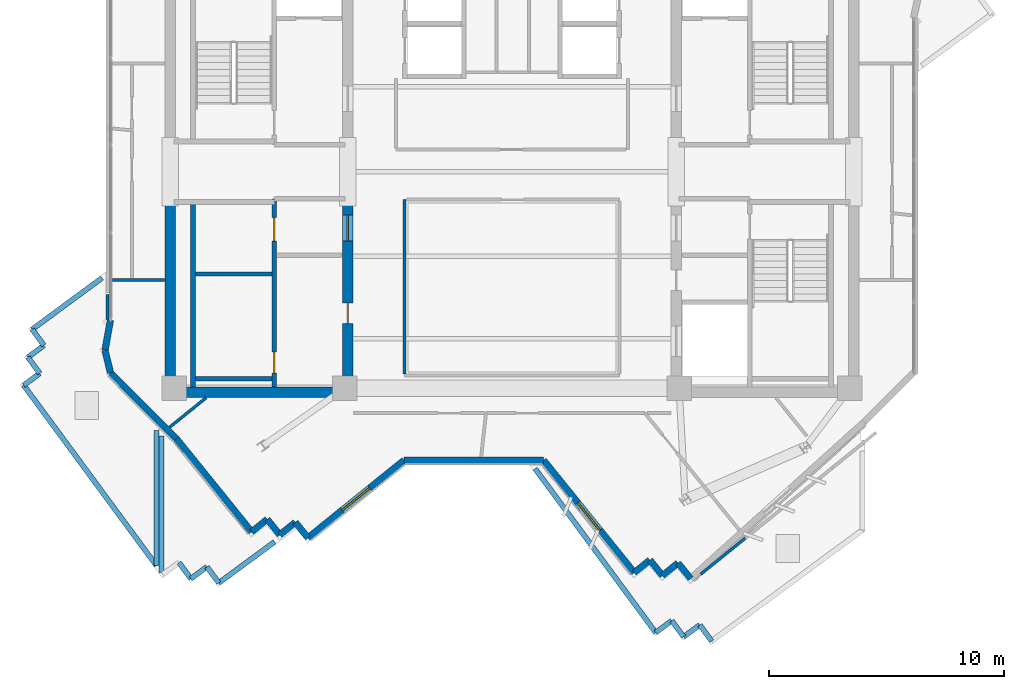
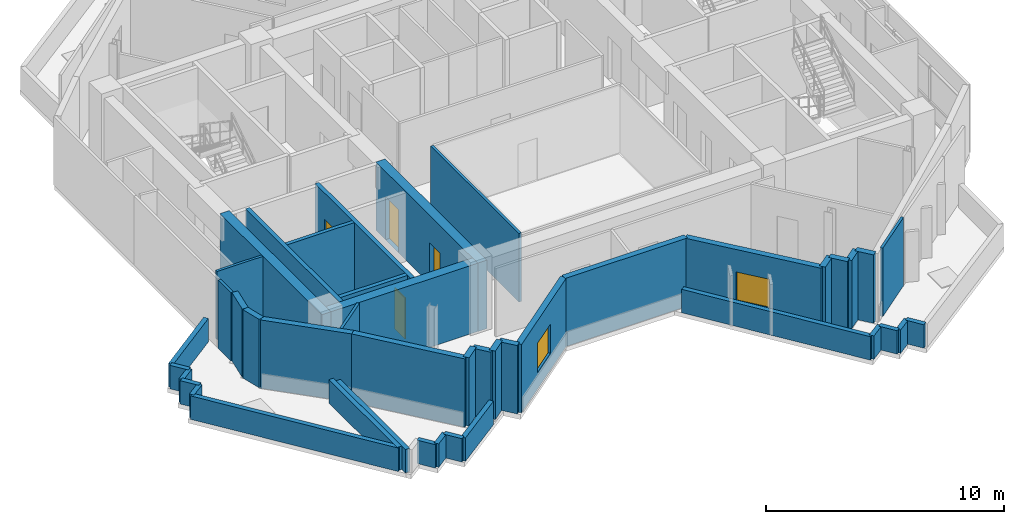
# One storey, part 6 of 12: 44 walls, 4 doors, 2 windows, 6 openings.
"""IFC4 building model written with IfcOpenShell, lengths in metres."""

from ifc_helpers import new_model, si_unit, direction, frame, frame_2d, origin, place, context, subcontext, project, spatial, rectangle, extrude, source, transform, mapped, material, layer, layer_set, type_object, element, fill, save


model = new_model("IFC4")

# Units and contexts
model_context = context("Model", 3, precision=1e-05, world=origin(), true_north=direction((0.0, 1.0)))
body_context = subcontext(model_context, "Body", "Model", "MODEL_VIEW")
ifc_project = project(units=[si_unit("LENGTHUNIT", "METRE"), si_unit("AREAUNIT", "SQUARE_METRE"), si_unit("VOLUMEUNIT", "CUBIC_METRE"), si_unit("PLANEANGLEUNIT", "RADIAN"), si_unit("MASSUNIT", "GRAM", prefix="KILO")], contexts=[model_context])

# Site, building, storey
site_placement = place(None, origin())
site = spatial("IfcSite", under=ifc_project, at=site_placement, CompositionType="ELEMENT")
building_placement = place(site_placement, origin())
building = spatial("IfcBuilding", under=site, at=building_placement, Name="Zahravan Cultural Tower", CompositionType="ELEMENT")
storey_placement = place(building_placement, frame((0.0, 0.0, 280.35009765625)))
storey = spatial("IfcBuildingStorey", under=building, at=storey_placement, Name="L67", CompositionType="ELEMENT", Elevation=280.35009765625)

# Wall, openings, doors
ifc_material_1 = material(Name="Concrete C50/60", Category="concrete")
ifc_layer_1 = layer(ifc_material_1, 0.449951171875)
ifc_layer_set_1 = layer_set([ifc_layer_1], Name="Concrete C50/60")
wall_type_1 = type_object("IfcWallType", Name="CW-SHEAR-450-C50", PredefinedType="SHEAR", material=ifc_layer_set_1)
wall_1_placement = place(storey_placement, frame((29.02490234375, 17.39990234375, 0.0), z_axis=(0.0, 0.0, 1.0), x_axis=(0.0, 1.0, 0.0)))
wall_1 = element("IfcWall", 1, at=wall_1_placement, inside=storey, type_object=wall_type_1, Name="L67 Core Shear Wall CW-W-ES-L67", PredefinedType="SHEAR", context=body_context, shape_type="SweptSolid", body=[
    extrude(rectangle(XDim=8.550048828125, YDim=0.449951171875, at=frame_2d((4.27490234375, 0.0))), origin(), (0.0, 0.0, 1.0), 3.5),
])
opening_1_placement = place(wall_1_placement, frame((6.64990234375, 0.0, 0.0)))
opening_1 = element("IfcOpeningElement", 2, at=opening_1_placement, cuts=wall_1, Name="Opening D-L67-08", PredefinedType="OPENING", context=body_context, shape_type="SweptSolid", body=[
    extrude(rectangle(XDim=1.10009765625, YDim=2.199951171875, at=frame_2d((0.550048828125, 1.10009765625))), frame((0.0, 0.23486328125, 0.0), z_axis=(0.0, -1.0, 0.0), x_axis=(1.0, 0.0, 0.0)), (0.0, 0.0, 1.0), 0.469970703125),
])
opening_2_placement = place(wall_1_placement, frame((3.14990234375, 0.0, 0.0)))
opening_2 = element("IfcOpeningElement", 3, at=opening_2_placement, cuts=wall_1, Name="Opening D-L67-10", PredefinedType="OPENING", context=body_context, shape_type="SweptSolid", body=[
    extrude(rectangle(XDim=0.8798828125, YDim=2.10009765625, at=frame_2d((0.43994140625, 1.050048828125))), frame((0.0, 0.23486328125, 0.0), z_axis=(0.0, -1.0, 0.0), x_axis=(1.0, 0.0, 0.0)), (0.0, 0.0, 1.0), 0.469970703125),
])
ifc_material_2 = material(Name="Steel ASTM A572 Grade 50", Category="steel")
door_type_1 = type_object("IfcDoorType", Name="DR-LOBBY-1100", OperationType="NOTDEFINED", PredefinedType="DOOR", material=ifc_material_2)
shared_shape_1 = source(origin(), body_context, "Body", "SweptSolid", [
    extrude(rectangle(XDim=1.10009765625, YDim=2.199951171875, at=frame_2d((0.550048828125, 1.10009765625))), frame((0.0, 0.02490234375, 0.0), z_axis=(0.0, -1.0, 0.0), x_axis=(1.0, 0.0, 0.0)), (0.0, 0.0, 1.0), 0.050048828125),
])
door_1_placement = place(opening_1_placement, origin())
door_1 = element("IfcDoor", 4, at=door_1_placement, inside=storey, type_object=door_type_1, Name="L67 Door D-L67-08", OperationType="SINGLE_SWING_LEFT", OverallHeight=2.199951171875, OverallWidth=1.10009765625, PredefinedType="DOOR", context=body_context, shape_type="MappedRepresentation", body=[
    mapped(shared_shape_1, transform((0.0, 0.0, 0.0), x_axis=(1.0, 0.0, 0.0), y_axis=(0.0, 1.0, 0.0), z_axis=(0.0, 0.0, 1.0), scale=1.0)),
])
fill(opening_1, door_1)
door_type_2 = type_object("IfcDoorType", Name="DR-SVC-880", OperationType="NOTDEFINED", PredefinedType="DOOR", material=ifc_material_2)
shared_shape_2 = source(origin(), body_context, "Body", "SweptSolid", [
    extrude(rectangle(XDim=0.8798828125, YDim=2.10009765625, at=frame_2d((0.43994140625, 1.050048828125))), frame((0.0, 0.02490234375, 0.0), z_axis=(0.0, -1.0, 0.0), x_axis=(1.0, 0.0, 0.0)), (0.0, 0.0, 1.0), 0.050048828125),
])
door_2_placement = place(opening_2_placement, origin())
door_2 = element("IfcDoor", 5, at=door_2_placement, inside=storey, type_object=door_type_2, Name="L67 Door D-L67-10", OperationType="SINGLE_SWING_LEFT", OverallHeight=2.10009765625, OverallWidth=0.8798828125, PredefinedType="DOOR", context=body_context, shape_type="MappedRepresentation", body=[
    mapped(shared_shape_2, transform((0.0, 0.0, 0.0), x_axis=(1.0, 0.0, 0.0), y_axis=(0.0, 1.0, 0.0), z_axis=(0.0, 0.0, 1.0), scale=1.0)),
])
fill(opening_2, door_2)

# Wall, opening, window
ifc_material_3 = material(Name="Precast concrete C40/50", Category="concrete")
ifc_layer_2 = layer(ifc_material_3, 0.280029296875)
ifc_layer_set_2 = layer_set([ifc_layer_2], Name="Precast concrete C40/50")
wall_type_2 = type_object("IfcWallType", Name="EW-TC-280", PredefinedType="SOLIDWALL", material=ifc_layer_set_2)
wall_2_placement = place(storey_placement, frame((41.19580078125, 9.962646484375, 0.0), z_axis=(0.0, 0.0, 1.0), x_axis=(-0.628194566809, 0.778056287316, 0.0)))
wall_2 = element("IfcWall", 6, at=wall_2_placement, inside=storey, type_object=wall_type_2, Name="L67 Exterior Masonry Frame Wall 24", PredefinedType="SOLIDWALL", context=body_context, shape_type="SweptSolid", body=[
    extrude(rectangle(XDim=6.14013671875, YDim=0.280029296875, at=frame_2d((3.070068359375, 0.0))), origin(), (0.0, 0.0, 1.0), 3.5),
])
opening_3_placement = place(wall_2_placement, frame((2.320068359375, 0.0, 0.85009765625)))
opening_3 = element("IfcOpeningElement", 7, at=opening_3_placement, cuts=wall_2, Name="Opening WN-03", PredefinedType="OPENING", context=body_context, shape_type="SweptSolid", body=[
    extrude(rectangle(XDim=1.5, YDim=1.5, at=frame_2d((0.75, 0.75))), frame((0.0, 0.14990234375, 0.0), z_axis=(0.0, -1.0, 0.0), x_axis=(1.0, 0.0, 0.0)), (0.0, 0.0, 1.0), 0.300048828125),
])
ifc_material_4 = material(Name="Low-E solar-control double glazing", Category="glass")
window_type = type_object("IfcWindowType", Name="WN-REC-1500X1500", PartitioningType="SINGLE_PANEL", PredefinedType="WINDOW", material=ifc_material_4)
shared_shape_3 = source(origin(), body_context, "Body", "SweptSolid", [
    extrude(rectangle(XDim=1.5, YDim=1.5, at=frame_2d((0.75, 0.75))), frame((0.0, 0.030029296875, 0.0), z_axis=(0.0, -1.0, 0.0), x_axis=(1.0, 0.0, 0.0)), (0.0, 0.0, 1.0), 0.06005859375),
])
window_1_placement = place(opening_3_placement, origin())
window_1 = element("IfcWindow", 8, at=window_1_placement, inside=storey, type_object=window_type, Name="L67 Recessed Solar Window 07", OverallHeight=1.5, OverallWidth=1.5, PartitioningType="SINGLE_PANEL", PredefinedType="WINDOW", context=body_context, shape_type="MappedRepresentation", body=[
    mapped(shared_shape_3, transform((0.0, 0.0, 0.0), x_axis=(1.0, 0.0, 0.0), y_axis=(0.0, 1.0, 0.0), z_axis=(0.0, 0.0, 1.0), scale=1.0)),
])
fill(opening_3, window_1)

wall_3_placement = place(storey_placement, frame((31.4169921875, 14.739990234375, 0.0), z_axis=(0.0, 0.0, 1.0), x_axis=(-0.778072238875, -0.628174809342, 0.0)))
wall_3 = element("IfcWall", 9, at=wall_3_placement, inside=storey, type_object=wall_type_2, Name="L67 Exterior Masonry Frame Wall 26", PredefinedType="SOLIDWALL", context=body_context, shape_type="SweptSolid", body=[
    extrude(rectangle(XDim=5.252685546875, YDim=0.280029296875, at=frame_2d((2.62646484375, 0.0))), origin(), (0.0, 0.0, 1.0), 3.5),
])
opening_4_placement = place(wall_3_placement, frame((1.8759765625, 0.0, 0.85009765625)))
opening_4 = element("IfcOpeningElement", 10, at=opening_4_placement, cuts=wall_3, Name="Opening WN-03", PredefinedType="OPENING", context=body_context, shape_type="SweptSolid", body=[
    extrude(rectangle(XDim=1.5, YDim=1.5, at=frame_2d((0.75, 0.75))), frame((0.0, 0.14990234375, 0.0), z_axis=(0.0, -1.0, 0.0), x_axis=(1.0, 0.0, 0.0)), (0.0, 0.0, 1.0), 0.300048828125),
])
window_2_placement = place(opening_4_placement, origin())
window_2 = element("IfcWindow", 11, at=window_2_placement, inside=storey, type_object=window_type, Name="L67 Recessed Solar Window 08", OverallHeight=1.5, OverallWidth=1.5, PartitioningType="SINGLE_PANEL", PredefinedType="WINDOW", context=body_context, shape_type="MappedRepresentation", body=[
    mapped(shared_shape_3, transform((0.0, 0.0, 0.0), x_axis=(1.0, 0.0, 0.0), y_axis=(0.0, 1.0, 0.0), z_axis=(0.0, 0.0, 1.0), scale=1.0)),
])
fill(opening_4, window_2)

# Wall, openings, doors
ifc_material_5 = material(Name="Concrete C45/55", Category="concrete")
ifc_layer_3 = layer(ifc_material_5, 0.199951171875)
ifc_layer_set_3 = layer_set([ifc_layer_3], Name="Concrete C45/55")
wall_type_3 = type_object("IfcWallType", Name="W-SHAFT-200", PredefinedType="SOLIDWALL", material=ifc_layer_set_3)
wall_4_placement = place(storey_placement, frame((25.89990234375, 17.85009765625, 0.0), z_axis=(0.0, 0.0, 1.0), x_axis=(0.0, 1.0, 0.0)))
wall_4 = element("IfcWall", 12, at=wall_4_placement, inside=storey, type_object=wall_type_3, Name="L67 Interior Wall 005", PredefinedType="SOLIDWALL", context=body_context, shape_type="SweptSolid", body=[
    extrude(rectangle(XDim=8.0, YDim=0.199951171875, at=frame_2d((4.0, 0.0))), origin(), (0.0, 0.0, 1.0), 3.5),
])
opening_5_placement = place(wall_4_placement, frame((6.199951171875, 0.0, 0.0)))
opening_5 = element("IfcOpeningElement", 13, at=opening_5_placement, cuts=wall_4, Name="Opening D-L67-04", PredefinedType="OPENING", context=body_context, shape_type="SweptSolid", body=[
    extrude(rectangle(XDim=1.0, YDim=2.14990234375, at=frame_2d((0.5, 1.074951171875))), frame((0.0, 0.10986328125, 0.0), z_axis=(0.0, -1.0, 0.0), x_axis=(1.0, 0.0, 0.0)), (0.0, 0.0, 1.0), 0.219970703125),
])
opening_6_placement = place(wall_4_placement, frame((0.60009765625, 0.0, 0.0)))
opening_6 = element("IfcOpeningElement", 14, at=opening_6_placement, cuts=wall_4, Name="Opening D-L67-05", PredefinedType="OPENING", context=body_context, shape_type="SweptSolid", body=[
    extrude(rectangle(XDim=0.8798828125, YDim=2.10009765625, at=frame_2d((0.43994140625, 1.050048828125))), frame((0.0, 0.10986328125, 0.0), z_axis=(0.0, -1.0, 0.0), x_axis=(1.0, 0.0, 0.0)), (0.0, 0.0, 1.0), 0.219970703125),
])
door_3_placement = place(opening_6_placement, origin())
door_3 = element("IfcDoor", 15, at=door_3_placement, inside=storey, type_object=door_type_2, Name="L67 Door D-L67-05", OperationType="SINGLE_SWING_RIGHT", OverallHeight=2.10009765625, OverallWidth=0.8798828125, PredefinedType="DOOR", context=body_context, shape_type="MappedRepresentation", body=[
    mapped(shared_shape_2, transform((0.0, 0.0, 0.0), x_axis=(1.0, 0.0, 0.0), y_axis=(0.0, 1.0, 0.0), z_axis=(0.0, 0.0, 1.0), scale=1.0)),
])
fill(opening_6, door_3)
door_type_3 = type_object("IfcDoorType", Name="DR-COMP-1000", OperationType="NOTDEFINED", PredefinedType="DOOR", material=ifc_material_2)
shared_shape_4 = source(origin(), body_context, "Body", "SweptSolid", [
    extrude(rectangle(XDim=1.0, YDim=2.14990234375, at=frame_2d((0.5, 1.074951171875))), frame((0.0, 0.02490234375, 0.0), z_axis=(0.0, -1.0, 0.0), x_axis=(1.0, 0.0, 0.0)), (0.0, 0.0, 1.0), 0.050048828125),
])
door_4_placement = place(opening_5_placement, origin())
door_4 = element("IfcDoor", 16, at=door_4_placement, inside=storey, type_object=door_type_3, Name="L67 Door D-L67-04", OperationType="SINGLE_SWING_LEFT", OverallHeight=2.14990234375, OverallWidth=1.0, PredefinedType="DOOR", context=body_context, shape_type="MappedRepresentation", body=[
    mapped(shared_shape_4, transform((0.0, 0.0, 0.0), x_axis=(1.0, 0.0, 0.0), y_axis=(0.0, 1.0, 0.0), z_axis=(0.0, 0.0, 1.0), scale=1.0)),
])
fill(opening_5, door_4)

# Walls
shared_shape_5 = source(origin(), body_context, "Body", "SweptSolid", [
    extrude(rectangle(XDim=8.550048828125, YDim=0.449951171875, at=frame_2d((4.27490234375, 0.0))), origin(), (0.0, 0.0, 1.0), 3.5),
])
wall_5_placement = place(storey_placement, frame((21.47509765625, 17.39990234375, 0.0), z_axis=(0.0, 0.0, 1.0), x_axis=(0.0, 1.0, 0.0)))
element("IfcWall", 17, at=wall_5_placement, inside=storey, type_object=wall_type_1, Name="L67 Core Shear Wall CW-W-WS-L67", PredefinedType="SHEAR", context=body_context, shape_type="MappedRepresentation", body=[
    mapped(shared_shape_5, transform((0.0, 0.0, 0.0), x_axis=(1.0, 0.0, 0.0), y_axis=(0.0, 1.0, 0.0), z_axis=(0.0, 0.0, 1.0), scale=1.0)),
])
shared_shape_6 = source(origin(), body_context, "Body", "SweptSolid", [
    extrude(rectangle(XDim=7.10009765625, YDim=0.449951171875, at=frame_2d((3.550048828125, 0.0))), origin(), (0.0, 0.0, 1.0), 3.5),
])
wall_6_placement = place(storey_placement, frame((21.699951171875, 17.625, 0.0), z_axis=(0.0, 0.0, 1.0), x_axis=(1.0, 0.0, 0.0)))
element("IfcWall", 18, at=wall_6_placement, inside=storey, type_object=wall_type_1, Name="L67 Core Shear Wall CW-W-S-L67", PredefinedType="SHEAR", context=body_context, shape_type="MappedRepresentation", body=[
    mapped(shared_shape_6, transform((0.0, 0.0, 0.0), x_axis=(1.0, 0.0, 0.0), y_axis=(0.0, 1.0, 0.0), z_axis=(0.0, 0.0, 1.0), scale=1.0)),
])
ifc_layer_4 = layer(ifc_material_3, 0.219970703125)
ifc_layer_set_4 = layer_set([ifc_layer_4], Name="Precast concrete C40/50")
wall_type_4 = type_object("IfcWallType", Name="EW-PARAPET-220", PredefinedType="PARAPET", material=ifc_layer_set_4)
shared_shape_7 = source(origin(), body_context, "Body", "SweptSolid", [
    extrude(rectangle(XDim=0.85009765625, YDim=0.219970703125, at=frame_2d((0.425048828125, 0.0))), origin(), (0.0, 0.0, 1.0), 1.199951171875),
])
for number, where, z_axis, x_axis, name in (
    (19, (44.4814453125, 7.05615234375, 0.0), (0.0, 0.0, 1.0), (-0.592807079659, 0.80534450163, 0.0), "L67 Setback Roof Parapet 2"),
    (20, (15.250732421875, 17.92578125, 0.0), (0.0, 0.0, 1.0), (0.80534450163, 0.592807079659, 0.0), "L67 Setback Roof Parapet 3"),
    (21, (15.431640625, 19.1142578125, 0.0), (0.0, 0.0, 1.0), (0.80534450163, 0.592807079659, 0.0), "L67 Setback Roof Parapet 5"),
    (22, (16.1162109375, 19.6181640625, 0.0), (0.0, 0.0, 1.0), (-0.592807079659, 0.80534450163, 0.0), "L67 Setback Roof Parapet 6"),
    (23, (23.0390625, 10.2109375, 0.0), (0.0, 0.0, 1.0), (-0.80534450163, -0.592807079659, 0.0), "L67 Setback Roof Parapet 1"),
    (24, (22.3544921875, 9.70703125, 0.0), (0.0, 0.0, 1.0), (-0.592807079659, 0.80534450163, 0.0), "L67 Setback Roof Parapet 2"),
    (25, (23.54296875, 9.5263671875, 0.0), (0.0, 0.0, 1.0), (-0.592807079659, 0.80534450163, 0.0), "L67 Setback Roof Parapet 6"),
):
    element("IfcWall", number, at=place(storey_placement, frame(where, z_axis=z_axis, x_axis=x_axis)), inside=storey, type_object=wall_type_4, Name=name, PredefinedType="PARAPET", context=body_context, shape_type="MappedRepresentation", body=[
        mapped(shared_shape_7, transform((0.0, 0.0, 0.0), x_axis=(1.0, 0.0, 0.0), y_axis=(0.0, 1.0, 0.0), z_axis=(0.0, 0.0, 1.0), scale=1.0)),
    ])
shared_shape_8 = source(origin(), body_context, "Body", "SweptSolid", [
    extrude(rectangle(XDim=0.849853515625, YDim=0.219970703125, at=frame_2d((0.4248046875, 0.0))), origin(), (0.0, 0.0, 1.0), 1.199951171875),
])
for number, where, z_axis, x_axis, name in (
    (26, (43.9775390625, 7.74072265625, 0.0), (0.0, 0.0, 1.0), (-0.805481622783, -0.592620751712, 0.0), "L67 Setback Roof Parapet 3"),
    (27, (43.29296875, 7.237060546875, 0.0), (0.0, 0.0, 1.0), (-0.592620751712, 0.805481622783, 0.0), "L67 Setback Roof Parapet 4"),
    (28, (15.935302734375, 18.4296875, 0.0), (0.0, 0.0, 1.0), (-0.592620751712, 0.805481622783, 0.0), "L67 Setback Roof Parapet 4"),
):
    element("IfcWall", number, at=place(storey_placement, frame(where, z_axis=z_axis, x_axis=x_axis)), inside=storey, type_object=wall_type_4, Name=name, PredefinedType="PARAPET", context=body_context, shape_type="MappedRepresentation", body=[
        mapped(shared_shape_8, transform((0.0, 0.0, 0.0), x_axis=(1.0, 0.0, 0.0), y_axis=(0.0, 1.0, 0.0), z_axis=(0.0, 0.0, 1.0), scale=1.0)),
    ])
shared_shape_9 = source(origin(), body_context, "Body", "SweptSolid", [
    extrude(rectangle(XDim=0.85009765625, YDim=0.280029296875, at=frame_2d((0.425048828125, 0.0))), origin(), (0.0, 0.0, 1.0), 3.5),
])
for number, where, z_axis, x_axis, name in (
    (29, (43.58642578125, 9.7080078125, 0.0), (0.0, 0.0, 1.0), (-0.628156579423, 0.778086956405, 0.0), "L67 Exterior Masonry Frame Wall 20"),
    (30, (43.052490234375, 10.369384765625, 0.0), (0.0, 0.0, 1.0), (-0.777946579095, -0.628330422687, 0.0), "L67 Exterior Masonry Frame Wall 21"),
    (31, (42.39111328125, 9.835205078125, 0.0), (0.0, 0.0, 1.0), (-0.628156579423, 0.778086956405, 0.0), "L67 Exterior Masonry Frame Wall 22"),
    (32, (41.857177734375, 10.49658203125, 0.0), (0.0, 0.0, 1.0), (-0.778086956405, -0.628156579423, 0.0), "L67 Exterior Masonry Frame Wall 23"),
    (33, (27.330078125, 11.4404296875, 0.0), (0.0, 0.0, 1.0), (-0.628156579423, 0.778086956405, 0.0), "L67 Exterior Masonry Frame Wall 27"),
    (34, (26.135009765625, 11.56787109375, 0.0), (0.0, 0.0, 1.0), (-0.628330422687, 0.777946579095, 0.0), "L67 Exterior Masonry Frame Wall 29"),
):
    element("IfcWall", number, at=place(storey_placement, frame(where, z_axis=z_axis, x_axis=x_axis)), inside=storey, type_object=wall_type_2, Name=name, PredefinedType="SOLIDWALL", context=body_context, shape_type="MappedRepresentation", body=[
        mapped(shared_shape_9, transform((0.0, 0.0, 0.0), x_axis=(1.0, 0.0, 0.0), y_axis=(0.0, 1.0, 0.0), z_axis=(0.0, 0.0, 1.0), scale=1.0)),
    ])
shared_shape_10 = source(origin(), body_context, "Body", "SweptSolid", [
    extrude(rectangle(XDim=0.849853515625, YDim=0.280029296875, at=frame_2d((0.4248046875, 0.0))), origin(), (0.0, 0.0, 1.0), 3.5),
])
for number, where, z_axis, x_axis, name in (
    (35, (26.796142578125, 12.101806640625, 0.0), (0.0, 0.0, 1.0), (-0.777973585776, -0.628296983786, 0.0), "L67 Exterior Masonry Frame Wall 28"),
    (36, (25.600830078125, 12.229248046875, 0.0), (0.0, 0.0, 1.0), (-0.777973585776, -0.628296983786, 0.0), "L67 Exterior Masonry Frame Wall 30"),
):
    element("IfcWall", number, at=place(storey_placement, frame(where, z_axis=z_axis, x_axis=x_axis)), inside=storey, type_object=wall_type_2, Name=name, PredefinedType="SOLIDWALL", context=body_context, shape_type="MappedRepresentation", body=[
        mapped(shared_shape_10, transform((0.0, 0.0, 0.0), x_axis=(1.0, 0.0, 0.0), y_axis=(0.0, 1.0, 0.0), z_axis=(0.0, 0.0, 1.0), scale=1.0)),
    ])
shared_shape_11 = source(origin(), body_context, "Body", "SweptSolid", [
    extrude(rectangle(XDim=0.850341796875, YDim=0.219970703125, at=frame_2d((0.42529296875, 0.0))), origin(), (0.0, 0.0, 1.0), 1.199951171875),
])
wall_7_placement = place(storey_placement, frame((42.789306640625, 7.921630859375, 0.0), z_axis=(0.0, 0.0, 1.0), x_axis=(-0.805445398986, -0.592669983425, 0.0)))
element("IfcWall", 37, at=wall_7_placement, inside=storey, type_object=wall_type_4, Name="L67 Setback Roof Parapet 5", PredefinedType="PARAPET", context=body_context, shape_type="MappedRepresentation", body=[
    mapped(shared_shape_11, transform((0.0, 0.0, 0.0), x_axis=(1.0, 0.0, 0.0), y_axis=(0.0, 1.0, 0.0), z_axis=(0.0, 0.0, 1.0), scale=1.0)),
])
shared_shape_12 = source(origin(), body_context, "Body", "SweptSolid", [
    extrude(rectangle(XDim=8.644287109375, YDim=0.219970703125, at=frame_2d((4.322265625, 0.0))), origin(), (0.0, 0.0, 1.0), 1.199951171875),
])
wall_8_placement = place(storey_placement, frame((42.1044921875, 7.417724609375, 0.0), z_axis=(0.0, 0.0, 1.0), x_axis=(-0.59271336893, 0.805413472877, 0.0)))
element("IfcWall", 38, at=wall_8_placement, inside=storey, type_object=wall_type_4, Name="L67 Setback Roof Parapet 6", PredefinedType="PARAPET", context=body_context, shape_type="MappedRepresentation", body=[
    mapped(shared_shape_12, transform((0.0, 0.0, 0.0), x_axis=(1.0, 0.0, 0.0), y_axis=(0.0, 1.0, 0.0), z_axis=(0.0, 0.0, 1.0), scale=1.0)),
])
shared_shape_13 = source(origin(), body_context, "Body", "SweptSolid", [
    extrude(rectangle(XDim=5.735595703125, YDim=0.219970703125, at=frame_2d((2.86767578125, 0.0))), origin(), (0.0, 0.0, 1.0), 1.199951171875),
])
wall_9_placement = place(storey_placement, frame((20.889892578125, 15.998779296875, 0.0), z_axis=(0.0, 0.0, 1.0), x_axis=(0.0, -1.0, 0.0)))
element("IfcWall", 39, at=wall_9_placement, inside=storey, type_object=wall_type_4, Name="L67 Setback Roof Parapet 1", PredefinedType="PARAPET", context=body_context, shape_type="MappedRepresentation", body=[
    mapped(shared_shape_13, transform((0.0, 0.0, 0.0), x_axis=(1.0, 0.0, 0.0), y_axis=(0.0, 1.0, 0.0), z_axis=(0.0, 0.0, 1.0), scale=1.0)),
])
shared_shape_14 = source(origin(), body_context, "Body", "SweptSolid", [
    extrude(rectangle(XDim=9.513916015625, YDim=0.219970703125, at=frame_2d((4.7568359375, 0.0))), origin(), (0.0, 0.0, 1.0), 1.199951171875),
])
wall_10_placement = place(storey_placement, frame((20.889892578125, 10.26318359375, 0.0), z_axis=(0.0, 0.0, 1.0), x_axis=(-0.592724500616, 0.805405280818, 0.0)))
element("IfcWall", 40, at=wall_10_placement, inside=storey, type_object=wall_type_4, Name="L67 Setback Roof Parapet 2", PredefinedType="PARAPET", context=body_context, shape_type="MappedRepresentation", body=[
    mapped(shared_shape_14, transform((0.0, 0.0, 0.0), x_axis=(1.0, 0.0, 0.0), y_axis=(0.0, 1.0, 0.0), z_axis=(0.0, 0.0, 1.0), scale=1.0)),
])
shared_shape_15 = source(origin(), body_context, "Body", "SweptSolid", [
    extrude(rectangle(XDim=3.6845703125, YDim=0.219970703125, at=frame_2d((1.84228515625, 0.0))), origin(), (0.0, 0.0, 1.0), 1.199951171875),
])
wall_11_placement = place(storey_placement, frame((15.6123046875, 20.302734375, 0.0), z_axis=(0.0, 0.0, 1.0), x_axis=(0.805437043351, 0.592681338662, 0.0)))
element("IfcWall", 41, at=wall_11_placement, inside=storey, type_object=wall_type_4, Name="L67 Setback Roof Parapet 7", PredefinedType="PARAPET", context=body_context, shape_type="MappedRepresentation", body=[
    mapped(shared_shape_15, transform((0.0, 0.0, 0.0), x_axis=(1.0, 0.0, 0.0), y_axis=(0.0, 1.0, 0.0), z_axis=(0.0, 0.0, 1.0), scale=1.0)),
])
shared_shape_16 = source(origin(), body_context, "Body", "SweptSolid", [
    extrude(rectangle(XDim=5.814697265625, YDim=0.219970703125, at=frame_2d((2.9072265625, 0.0))), origin(), (0.0, 0.0, 1.0), 1.199951171875),
])
wall_12_placement = place(storey_placement, frame((21.110107421875, 9.964111328125, 0.0), z_axis=(0.0, 0.0, 1.0), x_axis=(0.0, 1.0, 0.0)))
element("IfcWall", 42, at=wall_12_placement, inside=storey, type_object=wall_type_4, Name="L67 Setback Roof Parapet 4", PredefinedType="PARAPET", context=body_context, shape_type="MappedRepresentation", body=[
    mapped(shared_shape_16, transform((0.0, 0.0, 0.0), x_axis=(1.0, 0.0, 0.0), y_axis=(0.0, 1.0, 0.0), z_axis=(0.0, 0.0, 1.0), scale=1.0)),
])
shared_shape_17 = source(origin(), body_context, "Body", "SweptSolid", [
    extrude(rectangle(XDim=2.942138671875, YDim=0.219970703125, at=frame_2d((1.47119140625, 0.0))), origin(), (0.0, 0.0, 1.0), 1.199951171875),
])
wall_13_placement = place(storey_placement, frame((25.91259765625, 11.27001953125, 0.0), z_axis=(0.0, 0.0, 1.0), x_axis=(-0.805443619549, -0.592672401692, 0.0)))
element("IfcWall", 43, at=wall_13_placement, inside=storey, type_object=wall_type_4, Name="L67 Setback Roof Parapet 5", PredefinedType="PARAPET", context=body_context, shape_type="MappedRepresentation", body=[
    mapped(shared_shape_17, transform((0.0, 0.0, 0.0), x_axis=(1.0, 0.0, 0.0), y_axis=(0.0, 1.0, 0.0), z_axis=(0.0, 0.0, 1.0), scale=1.0)),
])
shared_shape_18 = source(origin(), body_context, "Body", "SweptSolid", [
    extrude(rectangle(XDim=5.921630859375, YDim=0.280029296875, at=frame_2d((2.9609375, 0.0))), origin(), (0.0, 0.0, 1.0), 3.5),
])
wall_14_placement = place(storey_placement, frame((37.338623046875, 14.739990234375, 0.0), z_axis=(0.0, 0.0, 1.0), x_axis=(-1.0, 0.0, 0.0)))
element("IfcWall", 44, at=wall_14_placement, inside=storey, type_object=wall_type_2, Name="L67 Exterior Masonry Frame Wall 25", PredefinedType="SOLIDWALL", context=body_context, shape_type="MappedRepresentation", body=[
    mapped(shared_shape_18, transform((0.0, 0.0, 0.0), x_axis=(1.0, 0.0, 0.0), y_axis=(0.0, 1.0, 0.0), z_axis=(0.0, 0.0, 1.0), scale=1.0)),
])
shared_shape_19 = source(origin(), body_context, "Body", "SweptSolid", [
    extrude(rectangle(XDim=0.9833984375, YDim=0.280029296875, at=frame_2d((0.49169921875, 0.0))), origin(), (0.0, 0.0, 1.0), 3.5),
])
wall_15_placement = place(storey_placement, frame((18.93994140625, 18.4580078125, 0.0), z_axis=(0.0, 0.0, 1.0), x_axis=(-0.235870049888, 0.971784605541, 0.0)))
element("IfcWall", 45, at=wall_15_placement, inside=storey, type_object=wall_type_2, Name="L67 Exterior Masonry Frame Wall 33", PredefinedType="SOLIDWALL", context=body_context, shape_type="MappedRepresentation", body=[
    mapped(shared_shape_19, transform((0.0, 0.0, 0.0), x_axis=(1.0, 0.0, 0.0), y_axis=(0.0, 1.0, 0.0), z_axis=(0.0, 0.0, 1.0), scale=1.0)),
])
shared_shape_20 = source(origin(), body_context, "Body", "SweptSolid", [
    extrude(rectangle(XDim=5.0927734375, YDim=0.280029296875, at=frame_2d((2.54638671875, 0.0))), origin(), (0.0, 0.0, 1.0), 3.5),
])
wall_16_placement = place(storey_placement, frame((24.939697265625, 11.6953125, 0.0), z_axis=(0.0, 0.0, 1.0), x_axis=(-0.628225517447, 0.778031297075, 0.0)))
element("IfcWall", 46, at=wall_16_placement, inside=storey, type_object=wall_type_2, Name="L67 Exterior Masonry Frame Wall 31", PredefinedType="SOLIDWALL", context=body_context, shape_type="MappedRepresentation", body=[
    mapped(shared_shape_20, transform((0.0, 0.0, 0.0), x_axis=(1.0, 0.0, 0.0), y_axis=(0.0, 1.0, 0.0), z_axis=(0.0, 0.0, 1.0), scale=1.0)),
])
shared_shape_21 = source(origin(), body_context, "Body", "SweptSolid", [
    extrude(rectangle(XDim=3.960205078125, YDim=0.280029296875, at=frame_2d((1.97998046875, 0.0))), origin(), (0.0, 0.0, 1.0), 3.5),
])
wall_17_placement = place(storey_placement, frame((21.740234375, 15.65771484375, 0.0), z_axis=(0.0, 0.0, 1.0), x_axis=(-0.707106781187, 0.707106781187, 0.0)))
element("IfcWall", 47, at=wall_17_placement, inside=storey, type_object=wall_type_2, Name="L67 Exterior Masonry Frame Wall 32", PredefinedType="SOLIDWALL", context=body_context, shape_type="MappedRepresentation", body=[
    mapped(shared_shape_21, transform((0.0, 0.0, 0.0), x_axis=(1.0, 0.0, 0.0), y_axis=(0.0, 1.0, 0.0), z_axis=(0.0, 0.0, 1.0), scale=1.0)),
])
shared_shape_22 = source(origin(), body_context, "Body", "SweptSolid", [
    extrude(rectangle(XDim=1.300537109375, YDim=0.280029296875, at=frame_2d((0.650390625, 0.0))), origin(), (0.0, 0.0, 1.0), 3.5),
])
wall_18_placement = place(storey_placement, frame((18.7080078125, 19.41357421875, 0.0), z_axis=(0.0, 0.0, 1.0), x_axis=(0.178323782993, 0.983971863632, 0.0)))
element("IfcWall", 48, at=wall_18_placement, inside=storey, type_object=wall_type_2, Name="L67 Exterior Masonry Frame Wall 34", PredefinedType="SOLIDWALL", context=body_context, shape_type="MappedRepresentation", body=[
    mapped(shared_shape_22, transform((0.0, 0.0, 0.0), x_axis=(1.0, 0.0, 0.0), y_axis=(0.0, 1.0, 0.0), z_axis=(0.0, 0.0, 1.0), scale=1.0)),
])
shared_shape_23 = source(origin(), body_context, "Body", "SweptSolid", [
    extrude(rectangle(XDim=7.869873046875, YDim=0.199951171875, at=frame_2d((3.93505859375, 0.0))), origin(), (0.0, 0.0, 1.0), 3.5),
])
wall_19_placement = place(storey_placement, frame((22.449951171875, 17.85009765625, 0.0), z_axis=(0.0, 0.0, 1.0), x_axis=(0.0, 1.0, 0.0)))
element("IfcWall", 49, at=wall_19_placement, inside=storey, type_object=wall_type_3, Name="L67 Interior Wall 001", PredefinedType="SOLIDWALL", context=body_context, shape_type="MappedRepresentation", body=[
    mapped(shared_shape_23, transform((0.0, 0.0, 0.0), x_axis=(1.0, 0.0, 0.0), y_axis=(0.0, 1.0, 0.0), z_axis=(0.0, 0.0, 1.0), scale=1.0)),
])
shared_shape_24 = source(origin(), body_context, "Body", "SweptSolid", [
    extrude(rectangle(XDim=3.25, YDim=0.199951171875, at=frame_2d((1.625, 0.0))), origin(), (0.0, 0.0, 1.0), 3.5),
])
wall_20_placement = place(storey_placement, frame((22.550048828125, 18.199951171875, 0.0), z_axis=(0.0, 0.0, 1.0), x_axis=(1.0, 0.0, 0.0)))
element("IfcWall", 50, at=wall_20_placement, inside=storey, type_object=wall_type_3, Name="L67 Interior Wall 019", PredefinedType="SOLIDWALL", context=body_context, shape_type="MappedRepresentation", body=[
    mapped(shared_shape_24, transform((0.0, 0.0, 0.0), x_axis=(1.0, 0.0, 0.0), y_axis=(0.0, 1.0, 0.0), z_axis=(0.0, 0.0, 1.0), scale=1.0)),
])
ifc_material_6 = material(Name="Gypsum plasterboard partition")
ifc_layer_5 = layer(ifc_material_6, 0.179931640625)
ifc_layer_set_5 = layer_set([ifc_layer_5], Name="Gypsum plasterboard partition")
wall_type_5 = type_object("IfcWallType", Name="W-COMP-180", PredefinedType="PARTITIONING", material=ifc_layer_set_5)
shared_shape_25 = source(origin(), body_context, "Body", "SweptSolid", [
    extrude(rectangle(XDim=3.25, YDim=0.179931640625, at=frame_2d((1.625, 0.0))), origin(), (0.0, 0.0, 1.0), 3.5),
])
wall_21_placement = place(storey_placement, frame((22.550048828125, 22.64990234375, 0.0), z_axis=(0.0, 0.0, 1.0), x_axis=(1.0, 0.0, 0.0)))
element("IfcWall", 51, at=wall_21_placement, inside=storey, type_object=wall_type_5, Name="L67 Interior Wall 021", PredefinedType="PARTITIONING", context=body_context, shape_type="MappedRepresentation", body=[
    mapped(shared_shape_25, transform((0.0, 0.0, 0.0), x_axis=(1.0, 0.0, 0.0), y_axis=(0.0, 1.0, 0.0), z_axis=(0.0, 0.0, 1.0), scale=1.0)),
])
ifc_layer_6 = layer(ifc_material_6, 0.125)
ifc_layer_set_6 = layer_set([ifc_layer_6], Name="Gypsum plasterboard partition")
wall_type_6 = type_object("IfcWallType", Name="W-PART-125", PredefinedType="PARTITIONING", material=ifc_layer_set_6)
shared_shape_26 = source(origin(), body_context, "Body", "SweptSolid", [
    extrude(rectangle(XDim=7.402587890625, YDim=0.125, at=frame_2d((3.701171875, 0.0))), origin(), (0.0, 0.0, 1.0), 3.5),
])
wall_22_placement = place(storey_placement, frame((31.43994140625, 18.407470703125, 0.0), z_axis=(0.0, 0.0, 1.0), x_axis=(0.0, 1.0, 0.0)))
element("IfcWall", 52, at=wall_22_placement, inside=storey, type_object=wall_type_6, Name="L67 Interior Wall 089", PredefinedType="PARTITIONING", context=body_context, shape_type="MappedRepresentation", body=[
    mapped(shared_shape_26, transform((0.0, 0.0, 0.0), x_axis=(1.0, 0.0, 0.0), y_axis=(0.0, 1.0, 0.0), z_axis=(0.0, 0.0, 1.0), scale=1.0)),
])
shared_shape_27 = source(origin(), body_context, "Body", "SweptSolid", [
    extrude(rectangle(XDim=2.215087890625, YDim=0.125, at=frame_2d((1.107421875, 0.0))), origin(), (0.0, 0.0, 1.0), 3.5),
])
wall_23_placement = place(storey_placement, frame((19.030029296875, 22.401611328125, 0.0), z_axis=(0.0, 0.0, 1.0), x_axis=(0.999999702379, -0.000771519665, 0.0)))
element("IfcWall", 53, at=wall_23_placement, inside=storey, type_object=wall_type_6, Name="L67 Interior Wall 050", PredefinedType="PARTITIONING", context=body_context, shape_type="MappedRepresentation", body=[
    mapped(shared_shape_27, transform((0.0, 0.0, 0.0), x_axis=(1.0, 0.0, 0.0), y_axis=(0.0, 1.0, 0.0), z_axis=(0.0, 0.0, 1.0), scale=1.0)),
])
shared_shape_28 = source(origin(), body_context, "Body", "SweptSolid", [
    extrude(rectangle(XDim=1.989013671875, YDim=0.125, at=frame_2d((0.99462890625, 0.0))), origin(), (0.0, 0.0, 1.0), 3.5),
])
wall_24_placement = place(storey_placement, frame((23.005126953125, 17.39501953125, 0.0), z_axis=(0.0, 0.0, 1.0), x_axis=(-0.778058853423, -0.628191388519, 0.0)))
element("IfcWall", 54, at=wall_24_placement, inside=storey, type_object=wall_type_6, Name="L67 Interior Wall 051", PredefinedType="PARTITIONING", context=body_context, shape_type="MappedRepresentation", body=[
    mapped(shared_shape_28, transform((0.0, 0.0, 0.0), x_axis=(1.0, 0.0, 0.0), y_axis=(0.0, 1.0, 0.0), z_axis=(0.0, 0.0, 1.0), scale=1.0)),
])
shared_shape_29 = source(origin(), body_context, "Body", "SweptSolid", [
    extrude(rectangle(XDim=1.065673828125, YDim=0.125, at=frame_2d((0.53271484375, 0.0))), origin(), (0.0, 0.0, 1.0), 3.5),
])
wall_25_placement = place(storey_placement, frame((18.820068359375, 20.710205078125, 0.0), z_axis=(0.0, 0.0, 1.0), x_axis=(0.0, 1.0, 0.0)))
element("IfcWall", 55, at=wall_25_placement, inside=storey, type_object=wall_type_6, Name="L67 Interior Wall 052", PredefinedType="PARTITIONING", context=body_context, shape_type="MappedRepresentation", body=[
    mapped(shared_shape_29, transform((0.0, 0.0, 0.0), x_axis=(1.0, 0.0, 0.0), y_axis=(0.0, 1.0, 0.0), z_axis=(0.0, 0.0, 1.0), scale=1.0)),
])
shared_shape_30 = source(origin(), body_context, "Body", "SweptSolid", [
    extrude(rectangle(XDim=2.43359375, YDim=0.125, at=frame_2d((1.216796875, 0.0))), origin(), (0.0, 0.0, 1.0), 3.5),
])
wall_26_placement = place(storey_placement, frame((45.910400390625, 11.429931640625, 0.0), z_axis=(0.0, 0.0, 1.0), x_axis=(-0.778061870062, -0.628187652183, 0.0)))
element("IfcWall", 56, at=wall_26_placement, inside=storey, type_object=wall_type_6, Name="L67 Interior Wall 084", PredefinedType="PARTITIONING", context=body_context, shape_type="MappedRepresentation", body=[
    mapped(shared_shape_30, transform((0.0, 0.0, 0.0), x_axis=(1.0, 0.0, 0.0), y_axis=(0.0, 1.0, 0.0), z_axis=(0.0, 0.0, 1.0), scale=1.0)),
])

save(model, "model.ifc")
